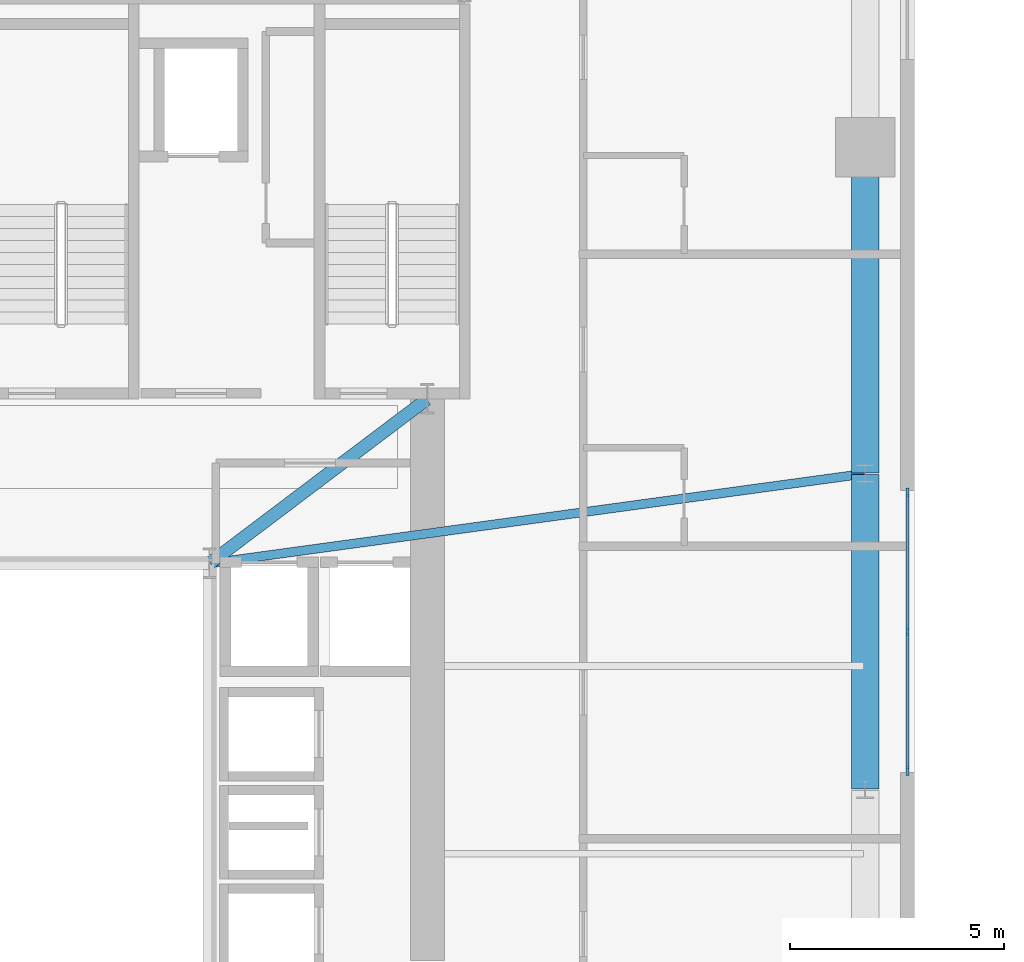
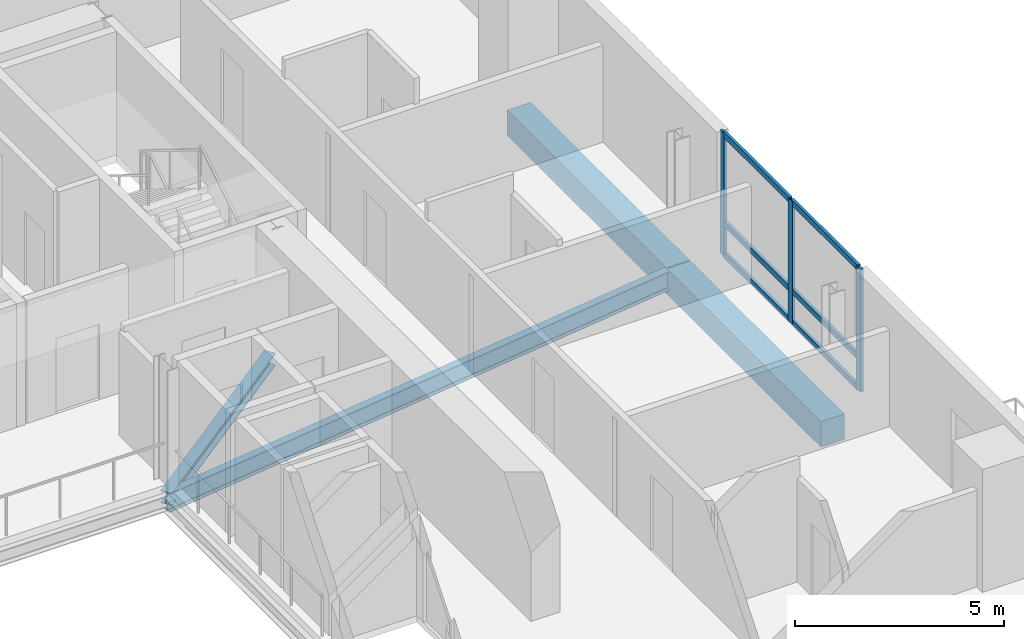
# One storey, part 5 of 16: 9 members, 4 beams, 1 element without a shape of its own.
"""IFC4 building model written with IfcOpenShell, lengths in metres."""

from ifc_helpers import new_model, si_unit, direction, frame, origin, origin_2d, place, context, subcontext, project, spatial, rectangle, i_section, extrude, source, transform, mapped, material, material_profile, profile_set, type_object, element, aggregate, save


model = new_model("IFC4")

# Units and contexts
model_context = context("Model", 3, precision=1e-05, world=origin(), true_north=direction((0.0, 1.0)))
body_context = subcontext(model_context, "Body", "Model", "MODEL_VIEW")
ifc_project = project(units=[si_unit("LENGTHUNIT", "METRE"), si_unit("AREAUNIT", "SQUARE_METRE"), si_unit("VOLUMEUNIT", "CUBIC_METRE"), si_unit("PLANEANGLEUNIT", "RADIAN"), si_unit("MASSUNIT", "GRAM", prefix="KILO")], contexts=[model_context])

# Site, building, storey
site_placement = place(None, origin())
site = spatial("IfcSite", under=ifc_project, at=site_placement, CompositionType="ELEMENT")
building_placement = place(site_placement, origin())
building = spatial("IfcBuilding", under=site, at=building_placement, Name="Vardaveli Station Tower", CompositionType="ELEMENT")
storey_placement = place(building_placement, frame((0.0, 0.0, 181.0)))
storey = spatial("IfcBuildingStorey", under=building, at=storey_placement, Name="L46", CompositionType="ELEMENT", Elevation=181.0)

# Beams
ifc_material_1 = material(Name="Structural steel S355J2", Category="steel")
ifc_material_profile_1 = material_profile(ifc_material_1, i_section(OverallWidth=0.300048828125, OverallDepth=0.360107421875, WebThickness=0.012451171875, FlangeThickness=0.0224609375, FilletRadius=0.027099609375, at=origin_2d()), Name="HEB 360")
ifc_profile_set_1 = profile_set([ifc_material_profile_1], Name="Structural steel S355J2")
beam_type_1 = type_object("IfcBeamType", Name="BM-HEB360", PredefinedType="BEAM", material=ifc_profile_set_1)
shared_shape_1 = source(origin(), body_context, "Body", "SweptSolid", [
    extrude(i_section(OverallWidth=0.300048828125, OverallDepth=0.360107421875, WebThickness=0.012451171875, FlangeThickness=0.0224609375, FilletRadius=0.027099609375, at=origin_2d()), origin(), (0.0, 0.0, 1.0), 6.35009765625),
])
beam_1_placement = place(storey_placement, frame((41.416015625, 26.81201171875, -0.39990234375), z_axis=(0.798118337722, 0.602500721154, 0.0), x_axis=(-0.602500721154, 0.798118337722, 0.0)))
element("IfcBeam", 1, at=beam_1_placement, inside=storey, type_object=beam_type_1, Name="CBM-L46-02", PredefinedType="BEAM", context=body_context, shape_type="MappedRepresentation", body=[
    mapped(shared_shape_1, transform((0.0, 0.0, 0.0), scale=1.0)),
])
ifc_material_2 = material(Name="Precast concrete C45/55", Category="concrete")
ifc_material_profile_2 = material_profile(ifc_material_2, rectangle(XDim=0.64990234375, YDim=0.75, at=origin_2d()), Name="LPB 650x750")
ifc_profile_set_2 = profile_set([ifc_material_profile_2], Name="Precast concrete C45/55")
beam_type_2 = type_object("IfcBeamType", Name="BM-LPB-750", PredefinedType="BEAM", material=ifc_profile_set_2)
shared_shape_2 = source(origin(), body_context, "Body", "SweptSolid", [
    extrude(rectangle(XDim=0.64990234375, YDim=0.75, at=origin_2d()), origin(), (0.0, 0.0, 1.0), 7.60009765625),
])
beam_2_placement = place(storey_placement, frame((56.75, 28.919921875, -0.594970703125), z_axis=(0.0, 1.0, 0.0), x_axis=(-1.0, 0.0, 0.0)))
element("IfcBeam", 2, at=beam_2_placement, inside=storey, type_object=beam_type_2, Name="RBM-L46-09", PredefinedType="BEAM", context=body_context, shape_type="MappedRepresentation", body=[
    mapped(shared_shape_2, transform((0.0, 0.0, 0.0), scale=1.0)),
])
shared_shape_3 = source(origin(), body_context, "Body", "SweptSolid", [
    extrude(rectangle(XDim=0.64990234375, YDim=0.75, at=origin_2d()), origin(), (0.0, 0.0, 1.0), 7.35986328125),
])
beam_3_placement = place(storey_placement, frame((56.75, 21.52001953125, -0.594970703125), z_axis=(0.0, 1.0, 0.0), x_axis=(-1.0, 0.0, 0.0)))
element("IfcBeam", 3, at=beam_3_placement, inside=storey, type_object=beam_type_2, Name="RBM-L46-08", PredefinedType="BEAM", context=body_context, shape_type="MappedRepresentation", body=[
    mapped(shared_shape_3, transform((0.0, 0.0, 0.0), scale=1.0)),
])
ifc_material_profile_3 = material_profile(ifc_material_1, i_section(OverallWidth=0.2099609375, OverallDepth=0.550048828125, WebThickness=0.010986328125, FlangeThickness=0.01708984375, FilletRadius=0.02392578125, at=origin_2d()), Name="IPE 550")
ifc_profile_set_3 = profile_set([ifc_material_profile_3], Name="Structural steel S355J2")
beam_type_3 = type_object("IfcBeamType", Name="BM-IPE550", PredefinedType="BEAM", material=ifc_profile_set_3)
shared_shape_4 = source(origin(), body_context, "Body", "SweptSolid", [
    extrude(i_section(OverallWidth=0.2099609375, OverallDepth=0.550048828125, WebThickness=0.010986328125, FlangeThickness=0.01708984375, FilletRadius=0.02392578125, at=origin_2d()), origin(), (0.0, 0.0, 1.0), 15.452880859375),
])
beam_4_placement = place(storey_placement, frame((56.730224609375, 28.897216796875, -0.4951171875), z_axis=(-0.99077191151, -0.135539733521, 0.0), x_axis=(0.135539733521, -0.99077191151, 0.0)))
element("IfcBeam", 4, at=beam_4_placement, inside=storey, type_object=beam_type_3, Name="GBM-L46-07", PredefinedType="BEAM", context=body_context, shape_type="MappedRepresentation", body=[
    mapped(shared_shape_4, transform((0.0, 0.0, 0.0), scale=1.0)),
])

# Curtain wall, members
ifc_material_3 = material(Name="Travertine stone and solar-control glass", Category="masonry")
curtain_wall_type = type_object("IfcCurtainWallType", Name="CW-SYS-5", PredefinedType="NOTDEFINED", material=ifc_material_3)
curtain_wall_placement = place(storey_placement, origin())
curtain_wall = element("IfcCurtainWall", 5, at=curtain_wall_placement, inside=storey, type_object=curtain_wall_type, Name="CW-L46-E", PredefinedType="NOTDEFINED")
ifc_material_4 = material(Name="Anodised aluminium alloy 6063-T6", Category="aluminium")
ifc_material_profile_4 = material_profile(ifc_material_4, rectangle(XDim=0.080078125, YDim=0.205078125, at=origin_2d()), Name="CWM 80x205")
ifc_profile_set_4 = profile_set([ifc_material_profile_4], Name="Anodised aluminium alloy 6063-T6")
member_type_1 = type_object("IfcMemberType", Name="CW-SYS-5-MULL", PredefinedType="MULLION", material=ifc_profile_set_4)
shared_shape_5 = source(origin(), body_context, "Body", "SweptSolid", [
    extrude(rectangle(XDim=0.080078125, YDim=0.205078125, at=origin_2d()), origin(), (0.0, 0.0, 1.0), 3.580078125),
])
member_1_placement = place(storey_placement, frame((57.739990234375, 21.93994140625, 0.0), z_axis=(0.0, 0.0, 1.0), x_axis=(-1.0, 0.0, 0.0)))
member_1 = element("IfcMember", 6, at=member_1_placement, type_object=member_type_1, Name="CW-5 mullion 1", PredefinedType="MULLION", context=body_context, shape_type="MappedRepresentation", body=[
    mapped(shared_shape_5, transform((0.0, 0.0, 0.0), scale=1.0)),
])
member_2_placement = place(storey_placement, frame((57.739990234375, 25.199951171875, 0.0), z_axis=(0.0, 0.0, 1.0), x_axis=(-1.0, 0.0, 0.0)))
member_2 = element("IfcMember", 7, at=member_2_placement, type_object=member_type_1, Name="CW-5 mullion 2", PredefinedType="MULLION", context=body_context, shape_type="MappedRepresentation", body=[
    mapped(shared_shape_5, transform((0.0, 0.0, 0.0), scale=1.0)),
])
member_3_placement = place(storey_placement, frame((57.739990234375, 28.4599609375, 0.0), z_axis=(0.0, 0.0, 1.0), x_axis=(-1.0, 0.0, 0.0)))
member_3 = element("IfcMember", 8, at=member_3_placement, type_object=member_type_1, Name="CW-5 mullion 3", PredefinedType="MULLION", context=body_context, shape_type="MappedRepresentation", body=[
    mapped(shared_shape_5, transform((0.0, 0.0, 0.0), scale=1.0)),
])
ifc_material_profile_5 = material_profile(ifc_material_4, rectangle(XDim=0.080078125, YDim=0.1650390625, at=origin_2d()), Name="CWT 80x165")
ifc_profile_set_5 = profile_set([ifc_material_profile_5], Name="Anodised aluminium alloy 6063-T6")
member_type_2 = type_object("IfcMemberType", Name="CW-SYS-5-TRAN", PredefinedType="NOTDEFINED", material=ifc_profile_set_5)
shared_shape_6 = source(origin(), body_context, "Body", "SweptSolid", [
    extrude(rectangle(XDim=0.080078125, YDim=0.1650390625, at=origin_2d()), origin(), (0.0, 0.0, 1.0), 3.179931640625),
])
member_4_placement = place(storey_placement, frame((57.739990234375, 21.97998046875, 0.0400390625), z_axis=(0.0, 1.0, 0.0), x_axis=(-1.0, 0.0, 0.0)))
member_4 = element("IfcMember", 9, at=member_4_placement, type_object=member_type_2, Name="CW-5 transom 1.1", ObjectType="TRANSOM", PredefinedType="USERDEFINED", context=body_context, shape_type="MappedRepresentation", body=[
    mapped(shared_shape_6, transform((0.0, 0.0, 0.0), scale=1.0)),
])
member_5_placement = place(storey_placement, frame((57.739990234375, 21.97998046875, 0.949951171875), z_axis=(0.0, 1.0, 0.0), x_axis=(-1.0, 0.0, 0.0)))
member_5 = element("IfcMember", 10, at=member_5_placement, type_object=member_type_2, Name="CW-5 transom 1.2", ObjectType="TRANSOM", PredefinedType="USERDEFINED", context=body_context, shape_type="MappedRepresentation", body=[
    mapped(shared_shape_6, transform((0.0, 0.0, 0.0), scale=1.0)),
])
member_6_placement = place(storey_placement, frame((57.739990234375, 21.97998046875, 3.5400390625), z_axis=(0.0, 1.0, 0.0), x_axis=(-1.0, 0.0, 0.0)))
member_6 = element("IfcMember", 11, at=member_6_placement, type_object=member_type_2, Name="CW-5 transom 1.3", ObjectType="TRANSOM", PredefinedType="USERDEFINED", context=body_context, shape_type="MappedRepresentation", body=[
    mapped(shared_shape_6, transform((0.0, 0.0, 0.0), scale=1.0)),
])
member_7_placement = place(storey_placement, frame((57.739990234375, 25.239990234375, 0.0400390625), z_axis=(0.0, 1.0, 0.0), x_axis=(-1.0, 0.0, 0.0)))
member_7 = element("IfcMember", 12, at=member_7_placement, type_object=member_type_2, Name="CW-5 transom 2.1", ObjectType="TRANSOM", PredefinedType="USERDEFINED", context=body_context, shape_type="MappedRepresentation", body=[
    mapped(shared_shape_6, transform((0.0, 0.0, 0.0), scale=1.0)),
])
member_8_placement = place(storey_placement, frame((57.739990234375, 25.239990234375, 0.949951171875), z_axis=(0.0, 1.0, 0.0), x_axis=(-1.0, 0.0, 0.0)))
member_8 = element("IfcMember", 13, at=member_8_placement, type_object=member_type_2, Name="CW-5 transom 2.2", ObjectType="TRANSOM", PredefinedType="USERDEFINED", context=body_context, shape_type="MappedRepresentation", body=[
    mapped(shared_shape_6, transform((0.0, 0.0, 0.0), scale=1.0)),
])
member_9_placement = place(storey_placement, frame((57.739990234375, 25.239990234375, 3.5400390625), z_axis=(0.0, 1.0, 0.0), x_axis=(-1.0, 0.0, 0.0)))
member_9 = element("IfcMember", 14, at=member_9_placement, type_object=member_type_2, Name="CW-5 transom 2.3", ObjectType="TRANSOM", PredefinedType="USERDEFINED", context=body_context, shape_type="MappedRepresentation", body=[
    mapped(shared_shape_6, transform((0.0, 0.0, 0.0), scale=1.0)),
])
aggregate(curtain_wall, [member_1, member_2, member_3, member_4, member_5, member_6, member_7, member_8, member_9])

save(model, "model.ifc")
